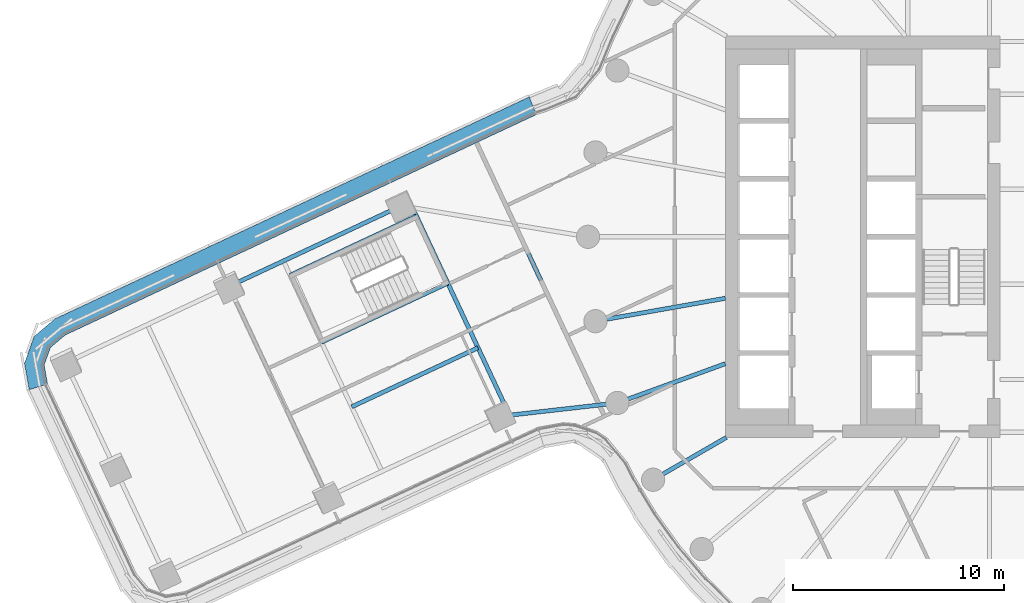
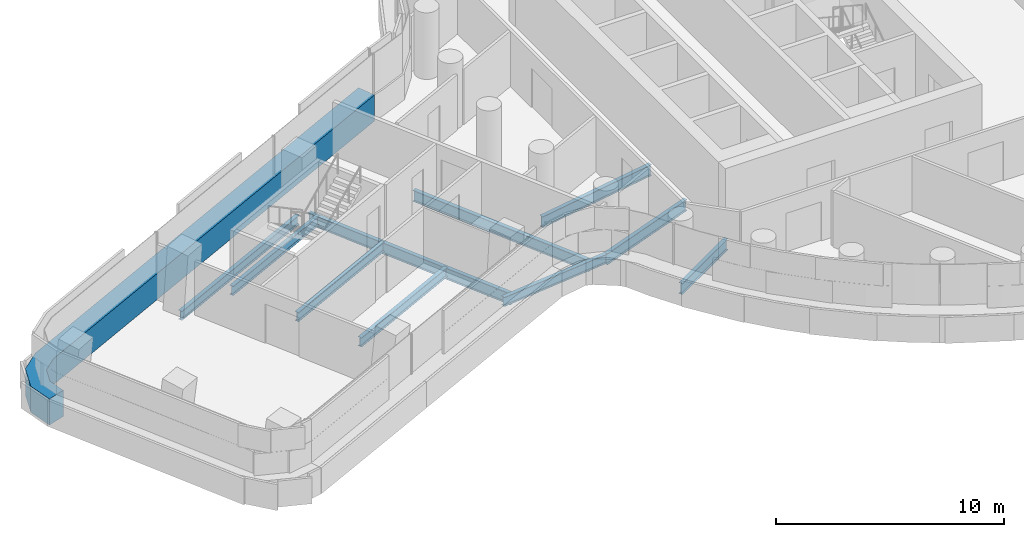
# One storey, part 7 of 36: 10 beams, 1 member, 1 element without a shape of its own.
"""IFC4 building model written with IfcOpenShell, lengths in metres."""

from ifc_helpers import new_model, si_unit, direction, frame, origin, origin_2d, place, context, subcontext, project, spatial, polyline, i_section, outline, extrude, material, layer, layer_set, material_profile, profile_set, type_object, element, aggregate, save


model = new_model("IFC4")

# Units and contexts
model_context = context("Model", 3, precision=1e-05, world=origin(), true_north=direction((0.0, 1.0)))
body_context = subcontext(model_context, "Body", "Model", "MODEL_VIEW")
ifc_project = project(units=[si_unit("LENGTHUNIT", "METRE"), si_unit("AREAUNIT", "SQUARE_METRE"), si_unit("VOLUMEUNIT", "CUBIC_METRE"), si_unit("PLANEANGLEUNIT", "RADIAN"), si_unit("MASSUNIT", "GRAM", prefix="KILO")], contexts=[model_context])

# Site, building, storey
site_placement = place(None, origin())
site = spatial("IfcSite", under=ifc_project, at=site_placement, CompositionType="ELEMENT")
building_placement = place(site_placement, origin())
building = spatial("IfcBuilding", under=site, at=building_placement, Name="Tamarind Cross Interchange Tower", CompositionType="ELEMENT")
storey_placement = place(building_placement, frame((0.0, 0.0, 124.75)))
storey = spatial("IfcBuildingStorey", under=building, at=storey_placement, Name="L30", CompositionType="ELEMENT", Elevation=124.75)

# Beams
ifc_material_1 = material(Name="Steel Q355B", Category="steel")
ifc_material_profile_1 = material_profile(ifc_material_1, i_section(OverallWidth=0.198974609375, OverallDepth=0.49609375, WebThickness=0.009033203125, FlangeThickness=0.013916015625, FilletRadius=0.012939453125, at=origin_2d()), Name="HN 496x199x9x14")
ifc_profile_set_1 = profile_set([ifc_material_profile_1], Name="Steel Q355B")
beam_type_1 = type_object("IfcBeamType", Name="Composite beam HN 496x199x9x14 Q355B", PredefinedType="BEAM", material=ifc_profile_set_1)
beam_1_placement = place(storey_placement, frame((-40.00048828125, -2.350341796875, -0.387939453125), z_axis=(0.90574606275, 0.423820799174, 0.0), x_axis=(-0.423820799174, 0.90574606275, 0.0)))
element("IfcBeam", 1, at=beam_1_placement, inside=storey, type_object=beam_type_1, Name="Beam W-edgeem6", PredefinedType="BEAM", context=body_context, shape_type="SweptSolid", body=[
    extrude(i_section(OverallWidth=0.198974609375, OverallDepth=0.49609375, WebThickness=0.009033203125, FlangeThickness=0.013916015625, FilletRadius=0.012939453125, at=origin_2d()), origin(), (0.0, 0.0, 1.0), 9.000244140625),
])
beam_2_placement = place(storey_placement, frame((-27.186767578125, -8.499267578125, -0.387939453125), z_axis=(0.99361656873, 0.112810080865, 0.0), x_axis=(-0.112810080865, 0.99361656873, 0.0)))
element("IfcBeam", 2, at=beam_2_placement, inside=storey, type_object=beam_type_1, Name="Beam W-linkep", PredefinedType="BEAM", context=body_context, shape_type="SweptSolid", body=[
    extrude(i_section(OverallWidth=0.198974609375, OverallDepth=0.49609375, WebThickness=0.009033203125, FlangeThickness=0.013916015625, FilletRadius=0.012939453125, at=origin_2d()), origin(), (0.0, 0.0, 1.0), 5.609619140625),
])
for number, where, z_axis, x_axis, name in (
    (3, (-31.123291015625, 0.975341796875, -0.387939453125), (-0.905754582431, -0.423802591314, 0.0), (0.423802591314, -0.905754582431, 0.0), "Beam W-tr0"),
    (4, (-29.639892578125, -2.194580078125, -0.387939453125), (-0.905740382849, -0.423832937461, 0.0), (0.423832937461, -0.905740382849, 0.0), "Beam W-tr1"),
    (5, (-28.20947265625, -5.251708984375, -0.387939453125), (-0.905754582431, -0.423802591314, 0.0), (0.423802591314, -0.905754582431, 0.0), "Beam W-stripp"),
):
    element("IfcBeam", number, at=place(storey_placement, frame(where, z_axis=z_axis, x_axis=x_axis)), inside=storey, type_object=beam_type_1, Name=name, PredefinedType="BEAM", context=body_context, shape_type="SweptSolid", body=[
        extrude(i_section(OverallWidth=0.198974609375, OverallDepth=0.49609375, WebThickness=0.009033203125, FlangeThickness=0.013916015625, FilletRadius=0.012939453125, at=origin_2d()), origin(), (0.0, 0.0, 1.0), 6.60009765625),
    ])
ifc_material_profile_2 = material_profile(ifc_material_1, i_section(OverallWidth=0.198974609375, OverallDepth=0.595947265625, WebThickness=0.010009765625, FlangeThickness=0.014892578125, FilletRadius=0.012939453125, at=origin_2d()), Name="HN 596x199x10x15")
ifc_profile_set_2 = profile_set([ifc_material_profile_2], Name="Steel Q355B")
beam_type_2 = type_object("IfcBeamType", Name="Composite beam HN 596x199x10x15 Q355B", PredefinedType="BEAM", material=ifc_profile_set_2)
beam_3_placement = place(storey_placement, frame((-22.650634765625, -3.993896484375, -0.43798828125), z_axis=(0.984809127561, 0.173640382036, 0.0), x_axis=(-0.173640382036, 0.984809127561, 0.0)))
element("IfcBeam", 6, at=beam_3_placement, inside=storey, type_object=beam_type_2, Name="Beam HH19", PredefinedType="BEAM", context=body_context, shape_type="SweptSolid", body=[
    extrude(i_section(OverallWidth=0.198974609375, OverallDepth=0.595947265625, WebThickness=0.010009765625, FlangeThickness=0.014892578125, FilletRadius=0.012939453125, at=origin_2d()), origin(), (0.0, 0.0, 1.0), 6.24560546875),
])
beam_4_placement = place(storey_placement, frame((-21.613037109375, -7.866455078125, -0.43798828125), z_axis=(0.939701685589, 0.341995236956, 0.0), x_axis=(-0.341995236956, 0.939701685589, 0.0)))
element("IfcBeam", 7, at=beam_4_placement, inside=storey, type_object=beam_type_2, Name="Beam HH20", PredefinedType="BEAM", context=body_context, shape_type="SweptSolid", body=[
    extrude(i_section(OverallWidth=0.198974609375, OverallDepth=0.595947265625, WebThickness=0.010009765625, FlangeThickness=0.014892578125, FilletRadius=0.012939453125, at=origin_2d()), origin(), (0.0, 0.0, 1.0), 5.441162109375),
])
beam_5_placement = place(storey_placement, frame((-19.918701171875, -11.5, -0.43798828125), z_axis=(0.866026010844, 0.49999894854, 0.0), x_axis=(-0.49999894854, 0.866026010844, 0.0)))
element("IfcBeam", 8, at=beam_5_placement, inside=storey, type_object=beam_type_2, Name="Beam HH21", PredefinedType="BEAM", context=body_context, shape_type="SweptSolid", body=[
    extrude(i_section(OverallWidth=0.198974609375, OverallDepth=0.595947265625, WebThickness=0.010009765625, FlangeThickness=0.014892578125, FilletRadius=0.012939453125, at=origin_2d()), origin(), (0.0, 0.0, 1.0), 4.0),
])
ifc_material_profile_3 = material_profile(ifc_material_1, i_section(OverallWidth=0.199951171875, OverallDepth=0.60009765625, WebThickness=0.010986328125, FlangeThickness=0.01708984375, FilletRadius=0.012939453125, at=origin_2d()), Name="HN 600x200x11x17")
ifc_profile_set_3 = profile_set([ifc_material_profile_3], Name="Steel Q355B")
beam_type_3 = type_object("IfcBeamType", Name="Composite beam HN 600x200x11x17 Q355B", PredefinedType="BEAM", material=ifc_profile_set_3)
beam_6_placement = place(storey_placement, frame((-31.31005859375, 1.375, -0.43994140625), z_axis=(0.423788803586, -0.905761033582, 0.0), x_axis=(0.905761033582, 0.423788803586, 0.0)))
element("IfcBeam", 9, at=beam_6_placement, inside=storey, type_object=beam_type_3, Name="Beam W-x298", PredefinedType="BEAM", context=body_context, shape_type="SweptSolid", body=[
    extrude(i_section(OverallWidth=0.199951171875, OverallDepth=0.60009765625, WebThickness=0.010986328125, FlangeThickness=0.01708984375, FilletRadius=0.012939453125, at=origin_2d()), origin(), (0.0, 0.0, 1.0), 10.842529296875),
])
beam_7_placement = place(storey_placement, frame((-26.463623046875, 0.572998046875, -0.43994140625), z_axis=(0.423811256332, -0.905750528019, 0.0), x_axis=(0.905750528019, 0.423811256332, 0.0)))
element("IfcBeam", 10, at=beam_7_placement, inside=storey, type_object=beam_type_3, Name="Beam W-x258", PredefinedType="BEAM", context=body_context, shape_type="SweptSolid", body=[
    extrude(i_section(OverallWidth=0.199951171875, OverallDepth=0.60009765625, WebThickness=0.010986328125, FlangeThickness=0.01708984375, FilletRadius=0.012939453125, at=origin_2d()), origin(), (0.0, 0.0, 1.0), 9.4248046875),
])

# Curtain wall, member
ifc_material_2 = material(Name="Aluminium 6063-T6", Category="aluminium")
ifc_layer = layer(ifc_material_2, 0.159912109375)
ifc_layer_set = layer_set([ifc_layer], Name="Aluminium 6063-T6")
curtain_wall_type = type_object("IfcCurtainWallType", Name="Office curtain wall, 9.0 m bays", PredefinedType="NOTDEFINED", material=ifc_layer_set)
curtain_wall_placement = place(storey_placement, origin())
curtain_wall = element("IfcCurtainWall", 11, at=curtain_wall_placement, inside=storey, type_object=curtain_wall_type, Name="CWS-L30-15", PredefinedType="NOTDEFINED")
ifc_material_3 = material(Name="Aluminium and insulated spandrel panel", Category="aluminium")
member_type = type_object("IfcMemberType", Name="Floor-edge blade transom", PredefinedType="USERDEFINED", material=ifc_material_3)
member_placement = place(storey_placement, origin())
member = element("IfcMember", 12, at=member_placement, type_object=member_type, Name="CWT-L30-15", ObjectType="TRANSOM", PredefinedType="USERDEFINED", context=body_context, shape_type="SweptSolid", body=[
    extrude(outline(polyline([(-25.45361328125, 5.78125), (-47.749755859375, -4.6513671875), (-48.4501953125, -5.24072265625), (-48.748291015625, -6.062744140625), (-48.588134765625, -6.964111328125), (-49.45361328125, -7.23828125), (-49.676513671875, -5.98291015625), (-49.214111328125, -4.707275390625), (-48.238525390625, -3.886474609375), (-25.781494140625, 6.621337890625), (-25.45361328125, 5.78125)])), origin(), (0.0, 0.0, 1.0), 1.39990234375),
])
aggregate(curtain_wall, [member])

save(model, "model.ifc")
